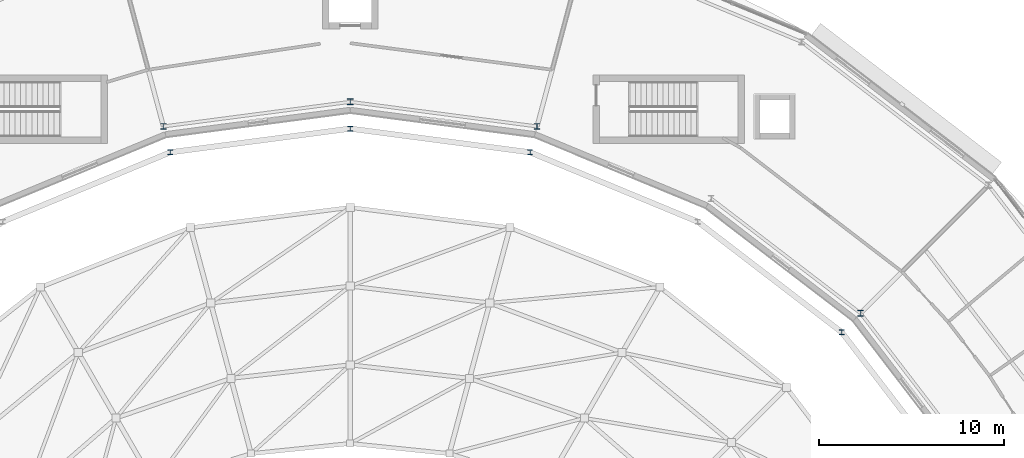
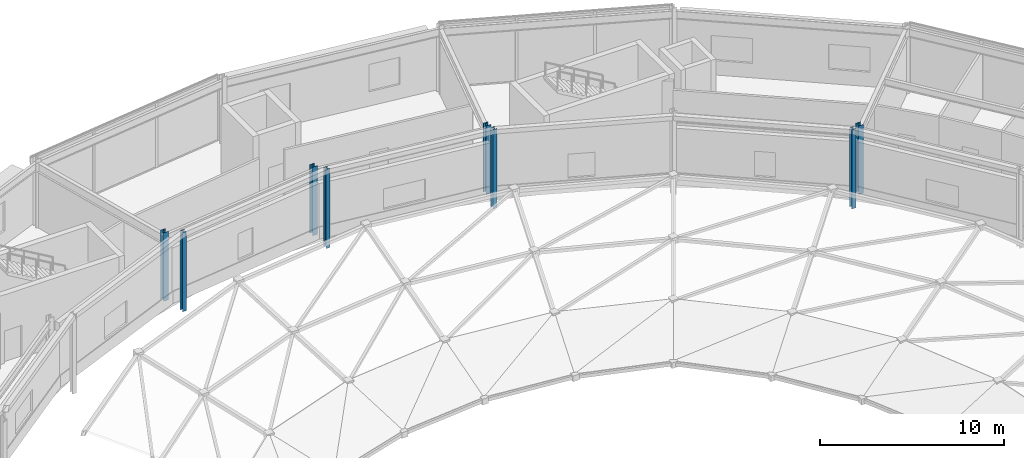
# One storey, part 8 of 89: 8 columns.
"""IFC4 building model written with IfcOpenShell, lengths in metres."""

from ifc_helpers import new_model, si_unit, direction, frame, origin, origin_2d, place, context, subcontext, project, spatial, i_section, extrude, material, material_profile, profile_set, type_object, element, save


model = new_model("IFC4")

# Units and contexts
model_context = context("Model", 3, precision=1e-05, world=origin(), true_north=direction((0.0, 1.0)))
body_context = subcontext(model_context, "Body", "Model", "MODEL_VIEW")
ifc_project = project(units=[si_unit("LENGTHUNIT", "METRE"), si_unit("AREAUNIT", "SQUARE_METRE"), si_unit("VOLUMEUNIT", "CUBIC_METRE"), si_unit("PLANEANGLEUNIT", "RADIAN"), si_unit("MASSUNIT", "GRAM", prefix="KILO")], contexts=[model_context])

# Site, building, storey
site_placement = place(None, origin())
site = spatial("IfcSite", under=ifc_project, at=site_placement, CompositionType="ELEMENT")
building_placement = place(site_placement, origin())
building = spatial("IfcBuilding", under=site, at=building_placement, Name="Almandine Court Research Institute", CompositionType="ELEMENT")
storey_placement = place(building_placement, frame((0.0, 0.0, 18.89990234375)))
storey = spatial("IfcBuildingStorey", under=building, at=storey_placement, Name="L04", CompositionType="ELEMENT", Elevation=18.89990234375)

# Columns
ifc_material = material(Name="Steel ASTM A992 Grade 50", Category="steel")
ifc_material_profile_1 = material_profile(ifc_material, i_section(OverallWidth=0.305908203125, OverallDepth=0.31103515625, WebThickness=0.010986328125, FlangeThickness=0.01708984375, at=origin_2d()), Name="W310x107")
ifc_profile_set_1 = profile_set([ifc_material_profile_1], Name="Steel ASTM A992 Grade 50")
column_type_1 = type_object("IfcColumnType", Name="Col-C-W08-E", PredefinedType="COLUMN", material=ifc_profile_set_1)
for number, where, z_axis, x_axis, name in (
    (1, (114.64794921875, 83.64794921875, 0.0), (0.0, 0.0, 1.0), (1.0, 0.0, 0.0), "L04 V5 Column V5-IN-S03"),
    (2, (97.1201171875, 93.76806640625, 0.0), (0.0, 0.0, 1.0), (1.0, 0.0, 0.0), "L04 V5 Column V5-IN-S05"),
    (3, (87.0, 95.10009765625, 0.0), (0.0, 0.0, 1.0), (1.0, 0.0, 0.0), "L04 V5 Column V5-IN-S06"),
    (4, (76.8798828125, 93.76806640625, 0.0), (0.0, 0.0, 1.0), (1.0, 0.0, 0.0), "L04 V5 Column V5-IN-S07"),
):
    element("IfcColumn", number, at=place(storey_placement, frame(where, z_axis=z_axis, x_axis=x_axis)), inside=storey, type_object=column_type_1, Name=name, PredefinedType="COLUMN", context=body_context, shape_type="SweptSolid", body=[
        extrude(i_section(OverallWidth=0.305908203125, OverallDepth=0.31103515625, WebThickness=0.010986328125, FlangeThickness=0.01708984375, at=origin_2d()), origin(), (0.0, 0.0, 1.0), 4.550048828125),
    ])
ifc_material_profile_2 = material_profile(ifc_material, i_section(OverallWidth=0.257080078125, OverallDepth=0.263916015625, WebThickness=0.011962890625, FlangeThickness=0.02001953125, at=origin_2d()), Name="W250x101")
ifc_profile_set_2 = profile_set([ifc_material_profile_2], Name="Steel ASTM A992 Grade 50")
column_type_2 = type_object("IfcColumnType", Name="Col-C-W09-E", PredefinedType="COLUMN", material=ifc_profile_set_2)
for number, where, z_axis, x_axis, name in (
    (5, (113.623046875, 82.623046875, 0.0), (0.0, 0.0, 1.0), (1.0, 0.0, 0.0), "L04 V2 Column V2-OUT-S03"),
    (6, (96.7451171875, 92.366943359375, 0.0), (0.0, 0.0, 1.0), (1.0, 0.0, 0.0), "L04 V2 Column V2-OUT-S05"),
    (7, (87.0, 93.64990234375, 0.0), (0.0, 0.0, 1.0), (1.0, 0.0, 0.0), "L04 V2 Column V2-OUT-S06"),
    (8, (77.2548828125, 92.366943359375, 0.0), (0.0, 0.0, 1.0), (1.0, 0.0, 0.0), "L04 V2 Column V2-OUT-S07"),
):
    element("IfcColumn", number, at=place(storey_placement, frame(where, z_axis=z_axis, x_axis=x_axis)), inside=storey, type_object=column_type_2, Name=name, PredefinedType="COLUMN", context=body_context, shape_type="SweptSolid", body=[
        extrude(i_section(OverallWidth=0.257080078125, OverallDepth=0.263916015625, WebThickness=0.011962890625, FlangeThickness=0.02001953125, at=origin_2d()), origin(), (0.0, 0.0, 1.0), 5.25),
    ])

save(model, "model.ifc")
